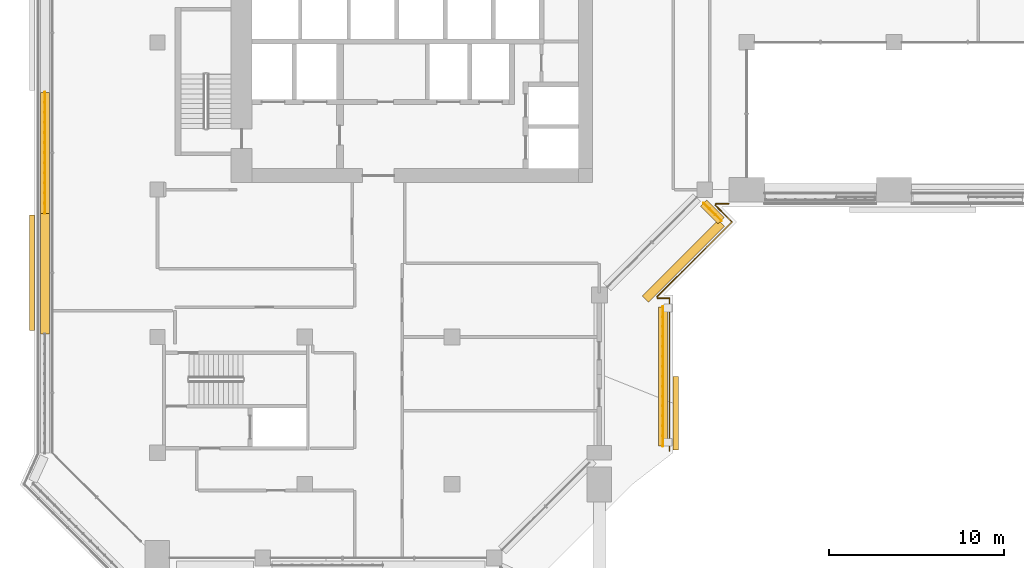
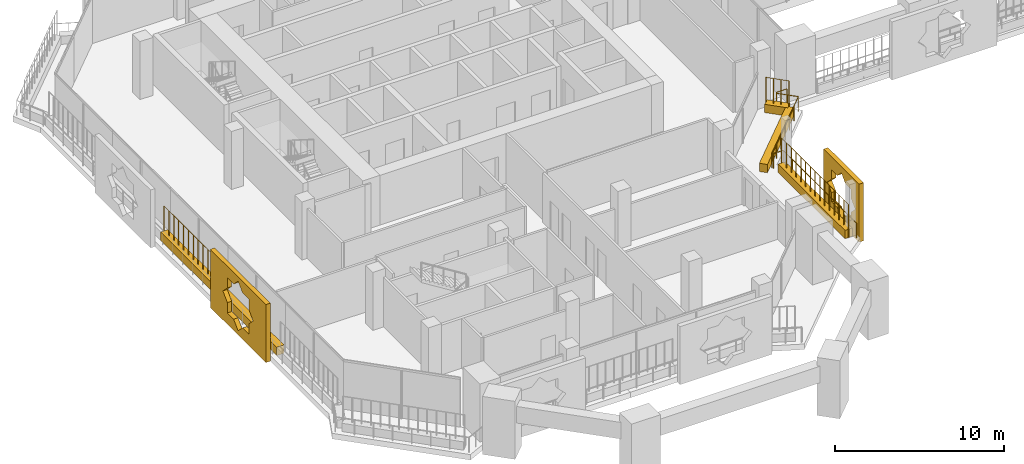
# One storey, part 18 of 23: 7 coverings, 4 railings.
"""IFC4 building model written with IfcOpenShell, lengths in metres."""

from ifc_helpers import new_model, si_unit, direction, frame, origin, origin_2d, place, context, subcontext, project, spatial, polyline, rectangle, circle, outline, extrude, material, material_profile, profile_set, type_object, element, save


model = new_model("IFC4")

# Units and contexts
model_context = context("Model", 3, precision=1e-05, world=origin(), true_north=direction((0.0, 1.0)))
body_context = subcontext(model_context, "Body", "Model", "MODEL_VIEW")
ifc_project = project(units=[si_unit("LENGTHUNIT", "METRE"), si_unit("AREAUNIT", "SQUARE_METRE"), si_unit("VOLUMEUNIT", "CUBIC_METRE"), si_unit("PLANEANGLEUNIT", "RADIAN"), si_unit("MASSUNIT", "GRAM", prefix="KILO")], contexts=[model_context])

# Site, building, storey
site_placement = place(None, origin())
site = spatial("IfcSite", under=ifc_project, at=site_placement, CompositionType="ELEMENT")
building_placement = place(site_placement, origin())
building = spatial("IfcBuilding", under=site, at=building_placement, Name="Kawkab Arch Medical Tower", CompositionType="ELEMENT")
storey_placement = place(building_placement, frame((0.0, 0.0, 226.39990234375)))
storey = spatial("IfcBuildingStorey", under=building, at=storey_placement, Name="L52", CompositionType="ELEMENT", Elevation=226.39990234375)

# Railing
ifc_material_1 = material(Name="Bronze anodised aluminium guard", Category="aluminium")
railing_type_1 = type_object("IfcRailingType", Name="Loggia and terrace guard 1100", PredefinedType="GUARDRAIL", material=ifc_material_1)
railing_1_placement = place(storey_placement, frame((32.570068359375, -26.0, 0.0)))
element("IfcRailing", 1, at=railing_1_placement, inside=storey, type_object=railing_type_1, Name="Guard L52.LOG-01.2.5", PredefinedType="GUARDRAIL", context=body_context, shape_type="SweptSolid", body=[
    extrude(circle(Radius=0.02392578125, at=origin_2d()), frame((0.0, 0.0, 1.076171875), z_axis=(-1.0, 0.0, 0.0), x_axis=(0.0, -1.0, 0.0)), (0.0, 0.0, 1.0), 0.719970703125),
    extrude(circle(Radius=0.02392578125, at=origin_2d()), frame((-0.719970703125, 0.0, 1.076171875), z_axis=(-0.383763674343, -0.923431341387, 0.0), x_axis=(0.923431341387, -0.383763674343, 0.0)), (0.0, 0.0, 1.0), 0.101806640625),
    extrude(circle(Radius=0.02392578125, at=origin_2d()), frame((-0.759033203125, -0.093994140625, 1.076171875), z_axis=(0.707015335112, -0.707198215437, 0.0), x_axis=(0.707198215437, 0.707015335112, 0.0)), (0.0, 0.0, 1.0), 1.3349609375),
    extrude(circle(Radius=0.02392578125, at=origin_2d()), frame((0.184814453125, -1.0380859375, 1.076171875), z_axis=(-0.707025867263, -0.707187685852, 0.0), x_axis=(0.707187685852, -0.707025867263, 0.0)), (0.0, 0.0, 1.0), 6.034912109375),
    extrude(circle(Radius=0.02392578125, at=origin_2d()), frame((-4.08203125, -5.305908203125, 1.076171875), z_axis=(0.383763674343, -0.923431341387, 0.0), x_axis=(0.923431341387, 0.383763674343, 0.0)), (0.0, 0.0, 1.0), 0.101806640625),
    extrude(circle(Radius=0.02392578125, at=origin_2d()), frame((-4.04296875, -5.39990234375, 1.076171875), z_axis=(1.0, 0.0, 0.0), x_axis=(0.0, 1.0, 0.0)), (0.0, 0.0, 1.0), 0.6728515625),
    extrude(circle(Radius=0.02392578125, at=origin_2d()), frame((-3.3701171875, -5.39990234375, 1.076171875), z_axis=(0.0, -1.0, 0.0), x_axis=(1.0, 0.0, 0.0)), (0.0, 0.0, 1.0), 8.7021484375),
    extrude(circle(Radius=0.02099609375, at=origin_2d()), origin(), (0.0, 0.0, 1.0), 1.052001953125),
    extrude(circle(Radius=0.02099609375, at=origin_2d()), frame((-0.719970703125, 0.0, 0.0)), (0.0, 0.0, 1.0), 1.052001953125),
    extrude(circle(Radius=0.02099609375, at=origin_2d()), frame((-0.759033203125, -0.093994140625, 0.0)), (0.0, 0.0, 1.0), 1.052001953125),
    extrude(circle(Radius=0.02099609375, at=origin_2d()), frame((-0.287109375, -0.56591796875, 0.0)), (0.0, 0.0, 1.0), 1.052001953125),
    extrude(circle(Radius=0.02099609375, at=origin_2d()), frame((0.184814453125, -1.0380859375, 0.0)), (0.0, 0.0, 1.0), 1.052001953125),
    extrude(circle(Radius=0.02099609375, at=origin_2d()), frame((-0.5263671875, -1.74951171875, 0.0)), (0.0, 0.0, 1.0), 1.052001953125),
    extrude(circle(Radius=0.02099609375, at=origin_2d()), frame((-1.237548828125, -2.460693359375, 0.0)), (0.0, 0.0, 1.0), 1.052001953125),
    extrude(circle(Radius=0.02099609375, at=origin_2d()), frame((-1.94873046875, -3.171875, 0.0)), (0.0, 0.0, 1.0), 1.052001953125),
    extrude(circle(Radius=0.02099609375, at=origin_2d()), frame((-2.65966796875, -3.88330078125, 0.0)), (0.0, 0.0, 1.0), 1.052001953125),
    extrude(circle(Radius=0.02099609375, at=origin_2d()), frame((-3.370849609375, -4.5947265625, 0.0)), (0.0, 0.0, 1.0), 1.052001953125),
    extrude(circle(Radius=0.02099609375, at=origin_2d()), frame((-4.08203125, -5.305908203125, 0.0)), (0.0, 0.0, 1.0), 1.052001953125),
    extrude(circle(Radius=0.02099609375, at=origin_2d()), frame((-4.04296875, -5.39990234375, 0.0)), (0.0, 0.0, 1.0), 1.052001953125),
    extrude(circle(Radius=0.02099609375, at=origin_2d()), frame((-3.3701171875, -5.39990234375, 0.0)), (0.0, 0.0, 1.0), 1.052001953125),
    extrude(circle(Radius=0.02099609375, at=origin_2d()), frame((-3.3701171875, -6.48779296875, 0.0)), (0.0, 0.0, 1.0), 1.052001953125),
    extrude(circle(Radius=0.02099609375, at=origin_2d()), frame((-3.3701171875, -7.575439453125, 0.0)), (0.0, 0.0, 1.0), 1.052001953125),
    extrude(circle(Radius=0.02099609375, at=origin_2d()), frame((-3.3701171875, -8.6630859375, 0.0)), (0.0, 0.0, 1.0), 1.052001953125),
    extrude(circle(Radius=0.02099609375, at=origin_2d()), frame((-3.3701171875, -9.7509765625, 0.0)), (0.0, 0.0, 1.0), 1.052001953125),
    extrude(circle(Radius=0.02099609375, at=origin_2d()), frame((-3.3701171875, -10.8388671875, 0.0)), (0.0, 0.0, 1.0), 1.052001953125),
    extrude(circle(Radius=0.02099609375, at=origin_2d()), frame((-3.3701171875, -11.926513671875, 0.0)), (0.0, 0.0, 1.0), 1.052001953125),
    extrude(circle(Radius=0.02099609375, at=origin_2d()), frame((-3.3701171875, -13.01416015625, 0.0)), (0.0, 0.0, 1.0), 1.052001953125),
    extrude(circle(Radius=0.02099609375, at=origin_2d()), frame((-3.3701171875, -14.10205078125, 0.0)), (0.0, 0.0, 1.0), 1.052001953125),
])

# Coverings
ifc_material_2 = material(Name="Bronze anodised aluminium mashrabiya panel, eight-point star pattern", Category="aluminium")
ifc_material_profile_1 = material_profile(ifc_material_2, outline(polyline([(-2.10009765625, -2.10009765625), (2.10009765625, -2.10009765625), (2.10009765625, 2.10009765625), (-2.10009765625, 2.10009765625), (-2.10009765625, -2.10009765625)]), holes=[polyline([(1.64990234375, 0.0), (1.166748046875, 0.4833984375), (1.166748046875, 1.166748046875), (0.4833984375, 1.166748046875), (0.0, 1.64990234375), (-0.4833984375, 1.166748046875), (-1.166748046875, 1.166748046875), (-1.166748046875, 0.4833984375), (-1.64990234375, 0.0), (-1.166748046875, -0.4833984375), (-1.166748046875, -1.166748046875), (-0.4833984375, -1.166748046875), (0.0, -1.64990234375), (0.4833984375, -1.166748046875), (1.166748046875, -1.166748046875), (1.166748046875, -0.4833984375), (1.64990234375, 0.0)])]), Name="Mashrabiya panel 4200x4200")
ifc_profile_set_1 = profile_set([ifc_material_profile_1], Name="Bronze anodised aluminium mashrabiya panel, eight-point star pattern")
covering_type_1 = type_object("IfcCoveringType", Name="Mashrabiya panel 4200 x 4200", PredefinedType="USERDEFINED", material=ifc_profile_set_1)
covering_1_placement = place(storey_placement, frame((29.39990234375, -37.94873046875, 1.7001953125), z_axis=(1.0, 0.0, 0.0), x_axis=(0.0, 1.0, 0.0)))
element("IfcCovering", 2, at=covering_1_placement, inside=storey, type_object=covering_type_1, Name="Mashrabiya panel L52.LOG-01-02.10", ObjectType="SCREEN", PredefinedType="USERDEFINED", context=body_context, shape_type="SweptSolid", body=[
    extrude(outline(polyline([(-2.10009765625, -2.10009765625), (2.10009765625, -2.10009765625), (2.10009765625, 2.10009765625), (-2.10009765625, 2.10009765625), (-2.10009765625, -2.10009765625)]), holes=[polyline([(1.64990234375, 0.0), (1.166748046875, 0.4833984375), (1.166748046875, 1.166748046875), (0.4833984375, 1.166748046875), (0.0, 1.64990234375), (-0.4833984375, 1.166748046875), (-1.166748046875, 1.166748046875), (-1.166748046875, 0.4833984375), (-1.64990234375, 0.0), (-1.166748046875, -0.4833984375), (-1.166748046875, -1.166748046875), (-0.4833984375, -1.166748046875), (0.0, -1.64990234375), (0.4833984375, -1.166748046875), (1.166748046875, -1.166748046875), (1.166748046875, -0.4833984375), (1.64990234375, 0.0)])]), origin(), (0.0, 0.0, 1.0), 0.300048828125),
])
ifc_material_3 = material(Name="Bronze anodised aluminium mashrabiya panel, eight-point star pattern", Category="aluminium")
ifc_material_profile_2 = material_profile(ifc_material_3, outline(polyline([(-3.300048828125, -2.10009765625), (3.300048828125, -2.10009765625), (3.300048828125, 2.10009765625), (-3.300048828125, 2.10009765625), (-3.300048828125, -2.10009765625)]), holes=[polyline([(1.800048828125, 0.0), (1.272705078125, 0.527099609375), (1.272705078125, 1.272705078125), (0.527099609375, 1.272705078125), (0.0, 1.800048828125), (-0.527099609375, 1.272705078125), (-1.272705078125, 1.272705078125), (-1.272705078125, 0.527099609375), (-1.800048828125, 0.0), (-1.272705078125, -0.527099609375), (-1.272705078125, -1.272705078125), (-0.527099609375, -1.272705078125), (0.0, -1.800048828125), (0.527099609375, -1.272705078125), (1.272705078125, -1.272705078125), (1.272705078125, -0.527099609375), (1.800048828125, 0.0)])]), Name="Mashrabiya panel 6600x4200")
ifc_profile_set_2 = profile_set([ifc_material_profile_2], Name="Bronze anodised aluminium mashrabiya panel, eight-point star pattern")
covering_type_2 = type_object("IfcCoveringType", Name="Mashrabiya panel 6600 x 4200", PredefinedType="USERDEFINED", material=ifc_profile_set_2)
covering_2_placement = place(storey_placement, frame((-7.0, -29.94091796875, 1.7001953125), z_axis=(-1.0, 0.0, 0.0), x_axis=(0.0, -1.0, 0.0)))
element("IfcCovering", 3, at=covering_2_placement, inside=storey, type_object=covering_type_2, Name="Mashrabiya panel L52.LOG-01-02.3", ObjectType="SCREEN", PredefinedType="USERDEFINED", context=body_context, shape_type="SweptSolid", body=[
    extrude(outline(polyline([(-3.300048828125, -2.10009765625), (3.300048828125, -2.10009765625), (3.300048828125, 2.10009765625), (-3.300048828125, 2.10009765625), (-3.300048828125, -2.10009765625)]), holes=[polyline([(1.800048828125, 0.0), (1.272705078125, 0.527099609375), (1.272705078125, 1.272705078125), (0.527099609375, 1.272705078125), (0.0, 1.800048828125), (-0.527099609375, 1.272705078125), (-1.272705078125, 1.272705078125), (-1.272705078125, 0.527099609375), (-1.800048828125, 0.0), (-1.272705078125, -0.527099609375), (-1.272705078125, -1.272705078125), (-0.527099609375, -1.272705078125), (0.0, -1.800048828125), (0.527099609375, -1.272705078125), (1.272705078125, -1.272705078125), (1.272705078125, -0.527099609375), (1.800048828125, 0.0)])]), origin(), (0.0, 0.0, 1.0), 0.300048828125),
])
ifc_material_4 = material(Name="Planting soil in a precast trough", Category="concrete")
ifc_material_profile_3 = material_profile(ifc_material_4, rectangle(XDim=0.5, YDim=0.60009765625, at=origin_2d()), Name="Trough 500x600")
ifc_profile_set_3 = profile_set([ifc_material_profile_3], Name="Planting soil in a precast trough")
covering_type_3 = type_object("IfcCoveringType", Name="Planter trough 500 x 600", PredefinedType="USERDEFINED", material=ifc_profile_set_3)
covering_3_placement = place(storey_placement, frame((-6.419921875, -33.43603515625, 0.300048828125), z_axis=(0.0, 1.0, 0.0), x_axis=(-1.0, 0.0, 0.0)))
element("IfcCovering", 4, at=covering_3_placement, inside=storey, type_object=covering_type_3, Name="Planter L52.LOG-01-02.8", ObjectType="PLANTER", PredefinedType="USERDEFINED", context=body_context, shape_type="SweptSolid", body=[
    extrude(rectangle(XDim=0.5, YDim=0.60009765625, at=origin_2d()), origin(), (0.0, 0.0, 1.0), 6.89111328125),
])
covering_4_placement = place(storey_placement, frame((-6.419921875, -26.544921875, 0.300048828125), z_axis=(0.0, 1.0, 0.0), x_axis=(-1.0, 0.0, 0.0)))
element("IfcCovering", 5, at=covering_4_placement, inside=storey, type_object=covering_type_3, Name="Planter L52.LOG-01-02.9", ObjectType="PLANTER", PredefinedType="USERDEFINED", context=body_context, shape_type="SweptSolid", body=[
    extrude(rectangle(XDim=0.5, YDim=0.60009765625, at=origin_2d()), origin(), (0.0, 0.0, 1.0), 6.889892578125),
])
covering_5_placement = place(storey_placement, frame((31.14306640625, -25.962890625, 0.300048828125), z_axis=(0.707020805532, -0.707192746389, 0.0), x_axis=(0.707192746389, 0.707020805532, 0.0)))
element("IfcCovering", 6, at=covering_5_placement, inside=storey, type_object=covering_type_3, Name="Planter L52.LOG-01-02.43", ObjectType="PLANTER", PredefinedType="USERDEFINED", context=body_context, shape_type="SweptSolid", body=[
    extrude(rectangle(XDim=0.5, YDim=0.60009765625, at=origin_2d()), origin(), (0.0, 0.0, 1.0), 1.419921875),
])
covering_6_placement = place(storey_placement, frame((32.14697265625, -27.10888671875, 0.300048828125), z_axis=(-0.707007043994, -0.707206504313, 0.0), x_axis=(0.707206504313, -0.707007043994, 0.0)))
element("IfcCovering", 7, at=covering_6_placement, inside=storey, type_object=covering_type_3, Name="Planter L52.LOG-01-02.44", ObjectType="PLANTER", PredefinedType="USERDEFINED", context=body_context, shape_type="SweptSolid", body=[
    extrude(rectangle(XDim=0.5, YDim=0.60009765625, at=origin_2d()), origin(), (0.0, 0.0, 1.0), 6.1201171875),
])
covering_7_placement = place(storey_placement, frame((28.820068359375, -31.8798828125, 0.300048828125), z_axis=(0.0, -1.0, 0.0), x_axis=(1.0, 0.0, 0.0)))
element("IfcCovering", 8, at=covering_7_placement, inside=storey, type_object=covering_type_3, Name="Planter L52.LOG-01-02.45", ObjectType="PLANTER", PredefinedType="USERDEFINED", context=body_context, shape_type="SweptSolid", body=[
    extrude(rectangle(XDim=0.5, YDim=0.60009765625, at=origin_2d()), origin(), (0.0, 0.0, 1.0), 7.93603515625),
])

# Railings
ifc_material_5 = material(Name="Bronze anodised aluminium trellis for climbing plants", Category="aluminium")
railing_type_2 = type_object("IfcRailingType", Name="Planting trellis 2400", PredefinedType="USERDEFINED", material=ifc_material_5)
railing_2_placement = place(storey_placement, frame((-6.419921875, -26.544921875, 0.0)))
element("IfcRailing", 9, at=railing_2_placement, inside=storey, type_object=railing_type_2, Name="Planting trellis L52.LOG-01-02.9", ObjectType="TRELLIS", PredefinedType="USERDEFINED", context=body_context, shape_type="SweptSolid", body=[
    extrude(circle(Radius=0.01513671875, at=origin_2d()), frame((0.0, 0.0, 2.384765625), z_axis=(0.0, 1.0, 0.0), x_axis=(-1.0, 0.0, 0.0)), (0.0, 0.0, 1.0), 6.889892578125),
    extrude(circle(Radius=0.030029296875, at=origin_2d()), origin(), (0.0, 0.0, 1.0), 2.369873046875),
    extrude(circle(Radius=0.030029296875, at=origin_2d()), frame((0.0, 0.57421875, 0.0)), (0.0, 0.0, 1.0), 2.369873046875),
    extrude(circle(Radius=0.030029296875, at=origin_2d()), frame((0.0, 1.1484375, 0.0)), (0.0, 0.0, 1.0), 2.369873046875),
    extrude(circle(Radius=0.030029296875, at=origin_2d()), frame((0.0, 1.722412109375, 0.0)), (0.0, 0.0, 1.0), 2.369873046875),
    extrude(circle(Radius=0.030029296875, at=origin_2d()), frame((0.0, 2.296630859375, 0.0)), (0.0, 0.0, 1.0), 2.369873046875),
    extrude(circle(Radius=0.030029296875, at=origin_2d()), frame((0.0, 2.870849609375, 0.0)), (0.0, 0.0, 1.0), 2.369873046875),
    extrude(circle(Radius=0.030029296875, at=origin_2d()), frame((0.0, 3.44482421875, 0.0)), (0.0, 0.0, 1.0), 2.369873046875),
    extrude(circle(Radius=0.030029296875, at=origin_2d()), frame((0.0, 4.01904296875, 0.0)), (0.0, 0.0, 1.0), 2.369873046875),
    extrude(circle(Radius=0.030029296875, at=origin_2d()), frame((0.0, 4.59326171875, 0.0)), (0.0, 0.0, 1.0), 2.369873046875),
    extrude(circle(Radius=0.030029296875, at=origin_2d()), frame((0.0, 5.16748046875, 0.0)), (0.0, 0.0, 1.0), 2.369873046875),
    extrude(circle(Radius=0.030029296875, at=origin_2d()), frame((0.0, 5.74169921875, 0.0)), (0.0, 0.0, 1.0), 2.369873046875),
    extrude(circle(Radius=0.030029296875, at=origin_2d()), frame((0.0, 6.315673828125, 0.0)), (0.0, 0.0, 1.0), 2.369873046875),
    extrude(circle(Radius=0.030029296875, at=origin_2d()), frame((0.0, 6.889892578125, 0.0)), (0.0, 0.0, 1.0), 2.369873046875),
])
railing_3_placement = place(storey_placement, frame((31.14306640625, -25.962890625, 0.0)))
element("IfcRailing", 10, at=railing_3_placement, inside=storey, type_object=railing_type_2, Name="Planting trellis L52.LOG-01-02.43", ObjectType="TRELLIS", PredefinedType="USERDEFINED", context=body_context, shape_type="SweptSolid", body=[
    extrude(circle(Radius=0.01513671875, at=origin_2d()), frame((0.0, 0.0, 2.384765625), z_axis=(0.707020805532, -0.707192746389, 0.0), x_axis=(0.707192746389, 0.707020805532, 0.0)), (0.0, 0.0, 1.0), 1.419921875),
    extrude(circle(Radius=0.030029296875, at=origin_2d()), origin(), (0.0, 0.0, 1.0), 2.369873046875),
    extrude(circle(Radius=0.030029296875, at=origin_2d()), frame((0.334716796875, -0.334716796875, 0.0)), (0.0, 0.0, 1.0), 2.369873046875),
    extrude(circle(Radius=0.030029296875, at=origin_2d()), frame((0.669189453125, -0.66943359375, 0.0)), (0.0, 0.0, 1.0), 2.369873046875),
    extrude(circle(Radius=0.030029296875, at=origin_2d()), frame((1.00390625, -1.004150390625, 0.0)), (0.0, 0.0, 1.0), 2.369873046875),
])
railing_4_placement = place(storey_placement, frame((28.820068359375, -31.8798828125, 0.0)))
element("IfcRailing", 11, at=railing_4_placement, inside=storey, type_object=railing_type_2, Name="Planting trellis L52.LOG-01-02.45", ObjectType="TRELLIS", PredefinedType="USERDEFINED", context=body_context, shape_type="SweptSolid", body=[
    extrude(circle(Radius=0.01513671875, at=origin_2d()), frame((0.0, 0.0, 2.384765625), z_axis=(0.0, -1.0, 0.0), x_axis=(1.0, 0.0, 0.0)), (0.0, 0.0, 1.0), 7.93603515625),
    extrude(circle(Radius=0.030029296875, at=origin_2d()), origin(), (0.0, 0.0, 1.0), 2.369873046875),
    extrude(circle(Radius=0.030029296875, at=origin_2d()), frame((0.0, -0.56689453125, 0.0)), (0.0, 0.0, 1.0), 2.369873046875),
    extrude(circle(Radius=0.030029296875, at=origin_2d()), frame((0.0, -1.1337890625, 0.0)), (0.0, 0.0, 1.0), 2.369873046875),
    extrude(circle(Radius=0.030029296875, at=origin_2d()), frame((0.0, -1.70068359375, 0.0)), (0.0, 0.0, 1.0), 2.369873046875),
    extrude(circle(Radius=0.030029296875, at=origin_2d()), frame((0.0, -2.267333984375, 0.0)), (0.0, 0.0, 1.0), 2.369873046875),
    extrude(circle(Radius=0.030029296875, at=origin_2d()), frame((0.0, -2.834228515625, 0.0)), (0.0, 0.0, 1.0), 2.369873046875),
    extrude(circle(Radius=0.030029296875, at=origin_2d()), frame((0.0, -3.401123046875, 0.0)), (0.0, 0.0, 1.0), 2.369873046875),
    extrude(circle(Radius=0.030029296875, at=origin_2d()), frame((0.0, -3.968017578125, 0.0)), (0.0, 0.0, 1.0), 2.369873046875),
    extrude(circle(Radius=0.030029296875, at=origin_2d()), frame((0.0, -4.534912109375, 0.0)), (0.0, 0.0, 1.0), 2.369873046875),
    extrude(circle(Radius=0.030029296875, at=origin_2d()), frame((0.0, -5.101806640625, 0.0)), (0.0, 0.0, 1.0), 2.369873046875),
    extrude(circle(Radius=0.030029296875, at=origin_2d()), frame((0.0, -5.668701171875, 0.0)), (0.0, 0.0, 1.0), 2.369873046875),
    extrude(circle(Radius=0.030029296875, at=origin_2d()), frame((0.0, -6.2353515625, 0.0)), (0.0, 0.0, 1.0), 2.369873046875),
    extrude(circle(Radius=0.030029296875, at=origin_2d()), frame((0.0, -6.80224609375, 0.0)), (0.0, 0.0, 1.0), 2.369873046875),
    extrude(circle(Radius=0.030029296875, at=origin_2d()), frame((0.0, -7.369140625, 0.0)), (0.0, 0.0, 1.0), 2.369873046875),
    extrude(circle(Radius=0.030029296875, at=origin_2d()), frame((0.0, -7.93603515625, 0.0)), (0.0, 0.0, 1.0), 2.369873046875),
])

save(model, "model.ifc")
